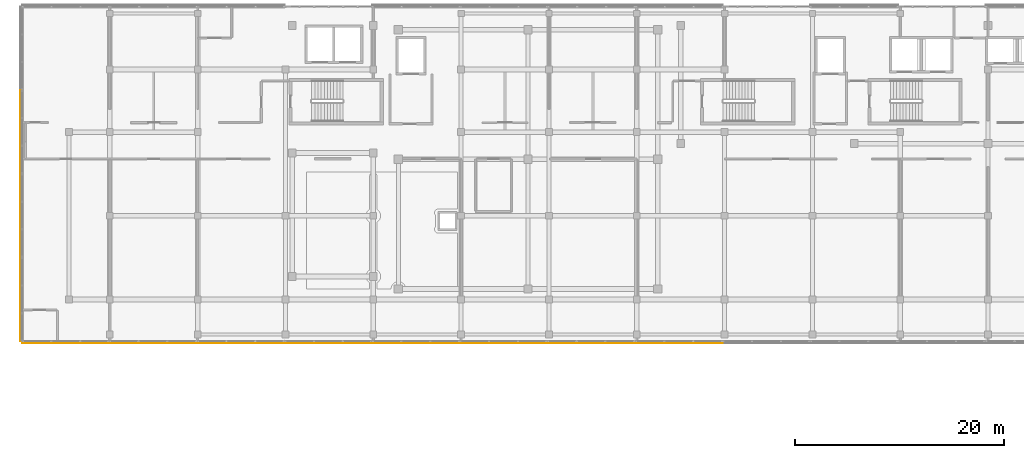
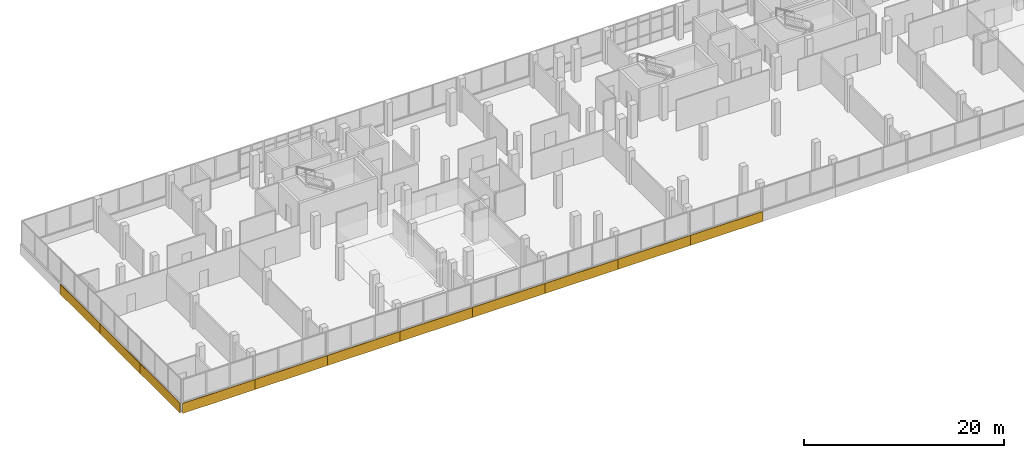
# One storey, part 72 of 76: 11 coverings.
"""IFC4 building model written with IfcOpenShell, lengths in metres."""

from ifc_helpers import new_model, si_unit, direction, frame, origin, origin_2d, place, context, subcontext, project, spatial, rectangle, extrude, material, layer, layer_set, type_object, element, save


model = new_model("IFC4")

# Units and contexts
model_context = context("Model", 3, precision=1e-05, world=origin(), true_north=direction((0.0, 1.0)))
body_context = subcontext(model_context, "Body", "Model", "MODEL_VIEW")
ifc_project = project(units=[si_unit("LENGTHUNIT", "METRE"), si_unit("AREAUNIT", "SQUARE_METRE"), si_unit("VOLUMEUNIT", "CUBIC_METRE"), si_unit("PLANEANGLEUNIT", "RADIAN"), si_unit("MASSUNIT", "GRAM", prefix="KILO")], contexts=[model_context])

# Site, building, storey
site_placement = place(None, origin())
site = spatial("IfcSite", under=ifc_project, at=site_placement, CompositionType="ELEMENT")
building_placement = place(site_placement, origin())
building = spatial("IfcBuilding", under=site, at=building_placement, Name="Selatvlak General Hospital", CompositionType="ELEMENT")
storey_placement = place(building_placement, frame((0.0, 0.0, 27.300048828125)))
storey = spatial("IfcBuildingStorey", under=building, at=storey_placement, Name="L06", CompositionType="ELEMENT", Elevation=27.300048828125)

# Coverings
ifc_material = material(Name="White Bauhaus fair-faced cladding panel")
ifc_layer = layer(ifc_material, 0.054931640625, Name="White Bauhaus fair-faced cladding panel")
ifc_layer_set = layer_set([ifc_layer], Name="White Bauhaus fair-faced cladding panel")
covering_type = type_object("IfcCoveringType", Name="COV-WHT1", PredefinedType="CLADDING", material=ifc_layer_set)
covering_1_placement = place(storey_placement, frame((22.635009765625, 92.0, -0.2802734375), z_axis=(0.0, 0.0, 1.0), x_axis=(0.0, 1.0, 0.0)))
element("IfcCovering", 1, at=covering_1_placement, inside=storey, type_object=covering_type, Name="L06 Bauhaus horizontal white spandrel band 0448", PredefinedType="CLADDING", context=body_context, shape_type="SweptSolid", body=[
    extrude(rectangle(XDim=8.0, YDim=0.054931640625, at=origin_2d()), origin(), (0.0, 0.0, 1.0), 1.219970703125),
])
covering_2_placement = place(storey_placement, frame((22.635009765625, 99.9990234375, -0.2802734375), z_axis=(0.0, 0.0, 1.0), x_axis=(0.0, 1.0, 0.0)))
element("IfcCovering", 2, at=covering_2_placement, inside=storey, type_object=covering_type, Name="L06 Bauhaus horizontal white spandrel band 0449", PredefinedType="CLADDING", context=body_context, shape_type="SweptSolid", body=[
    extrude(rectangle(XDim=7.9990234375, YDim=0.054931640625, at=origin_2d()), origin(), (0.0, 0.0, 1.0), 1.219970703125),
])
covering_3_placement = place(storey_placement, frame((22.635009765625, 107.9990234375, -0.2802734375), z_axis=(0.0, 0.0, 1.0), x_axis=(0.0, 1.0, 0.0)))
element("IfcCovering", 3, at=covering_3_placement, inside=storey, type_object=covering_type, Name="L06 Bauhaus horizontal white spandrel band 0450", PredefinedType="CLADDING", context=body_context, shape_type="SweptSolid", body=[
    extrude(rectangle(XDim=8.0, YDim=0.054931640625, at=origin_2d()), origin(), (0.0, 0.0, 1.0), 1.219970703125),
])
for number, where, z_axis, x_axis, name in (
    (4, (85.64208984375, 87.8349609375, -0.2802734375), (0.0, 0.0, 1.0), (-1.0, 0.0, 0.0), "L06 Bauhaus horizontal white spandrel band 0485"),
    (5, (77.262939453125, 87.8349609375, -0.2802734375), (0.0, 0.0, 1.0), (-1.0, 0.0, 0.0), "L06 Bauhaus horizontal white spandrel band 0486"),
    (6, (68.885009765625, 87.8349609375, -0.2802734375), (0.0, 0.0, 1.0), (-1.0, 0.0, 0.0), "L06 Bauhaus horizontal white spandrel band 0487"),
    (7, (60.5048828125, 87.8349609375, -0.2802734375), (0.0, 0.0, 1.0), (-1.0, 0.0, 0.0), "L06 Bauhaus horizontal white spandrel band 0488"),
    (8, (52.126953125, 87.8349609375, -0.2802734375), (0.0, 0.0, 1.0), (-1.0, 0.0, 0.0), "L06 Bauhaus horizontal white spandrel band 0489"),
    (9, (43.748046875, 87.8349609375, -0.2802734375), (0.0, 0.0, 1.0), (-1.0, 0.0, 0.0), "L06 Bauhaus horizontal white spandrel band 0490"),
    (10, (35.367919921875, 87.8349609375, -0.2802734375), (0.0, 0.0, 1.0), (-1.0, 0.0, 0.0), "L06 Bauhaus horizontal white spandrel band 0491"),
    (11, (26.989013671875, 87.8349609375, -0.2802734375), (0.0, 0.0, 1.0), (-1.0, 0.0, 0.0), "L06 Bauhaus horizontal white spandrel band 0492"),
):
    element("IfcCovering", number, at=place(storey_placement, frame(where, z_axis=z_axis, x_axis=x_axis)), inside=storey, type_object=covering_type, Name=name, PredefinedType="CLADDING", context=body_context, shape_type="SweptSolid", body=[
        extrude(rectangle(XDim=8.37890625, YDim=0.054931640625, at=origin_2d()), origin(), (0.0, 0.0, 1.0), 1.219970703125),
    ])

save(model, "model.ifc")
